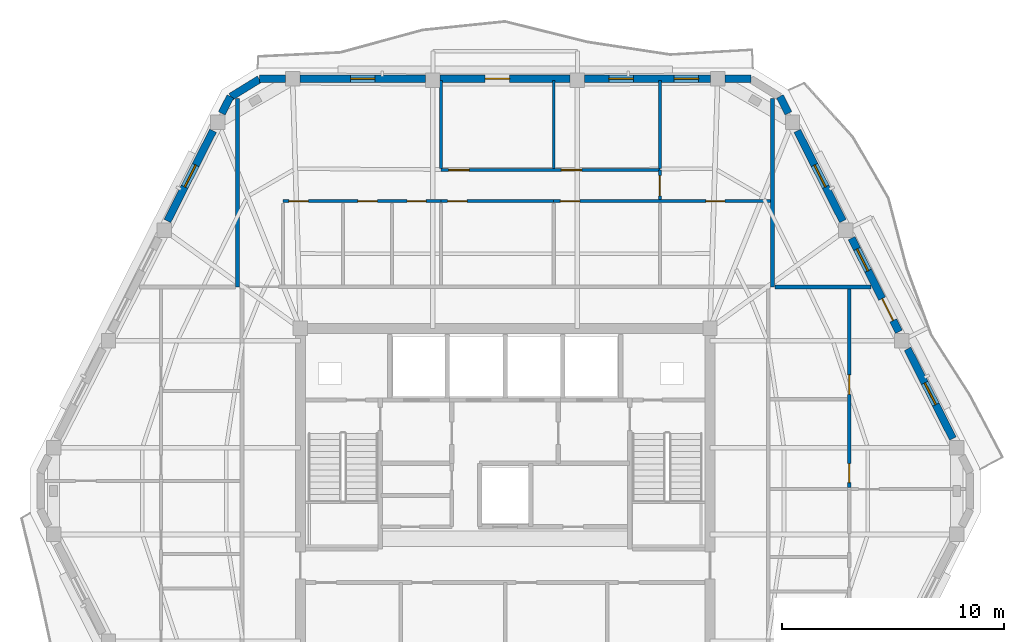
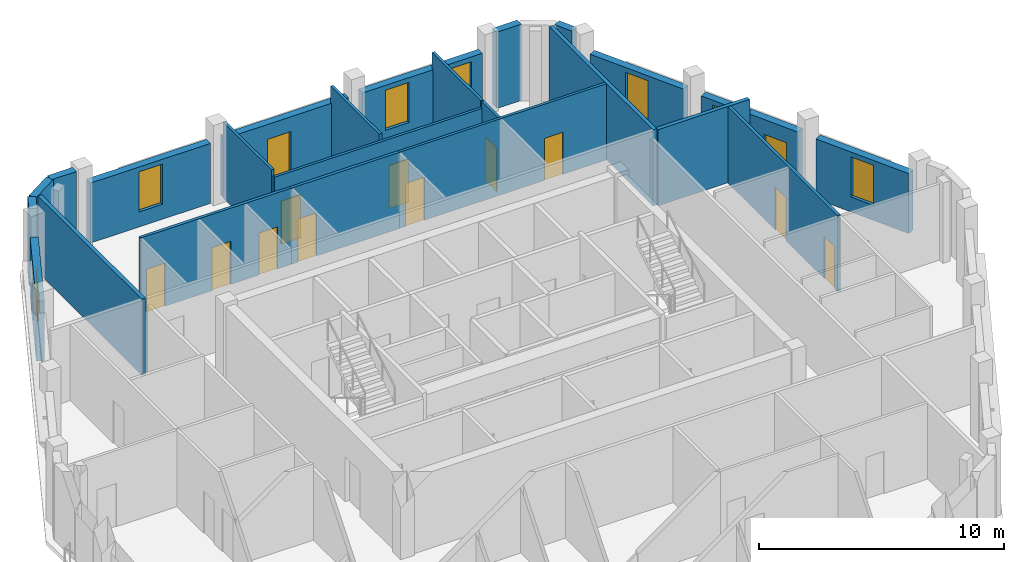
# One storey, part 7 of 11: 24 walls, 13 doors, 7 windows, 20 openings.
"""IFC4 building model written with IfcOpenShell, lengths in metres."""

from ifc_helpers import new_model, si_unit, direction, frame, frame_2d, origin, place, context, subcontext, project, spatial, rectangle, extrude, material, layer, layer_set, type_object, element, fill, save


model = new_model("IFC4")

# Units and contexts
model_context = context("Model", 3, precision=1e-05, world=origin(), true_north=direction((0.0, 1.0)))
body_context = subcontext(model_context, "Body", "Model", "MODEL_VIEW")
ifc_project = project(units=[si_unit("LENGTHUNIT", "METRE"), si_unit("AREAUNIT", "SQUARE_METRE"), si_unit("VOLUMEUNIT", "CUBIC_METRE"), si_unit("PLANEANGLEUNIT", "RADIAN"), si_unit("MASSUNIT", "GRAM", prefix="KILO")], contexts=[model_context])

# Site, building, storey
site_placement = place(None, origin())
site = spatial("IfcSite", under=ifc_project, at=site_placement, CompositionType="ELEMENT")
building_placement = place(site_placement, origin())
building = spatial("IfcBuilding", under=site, at=building_placement, Name="Cinnabar Lancet Tower", CompositionType="ELEMENT")
storey_placement = place(building_placement, frame((0.0, 0.0, 291.5)))
storey = spatial("IfcBuildingStorey", under=building, at=storey_placement, Name="L77", CompositionType="ELEMENT", Elevation=291.5)

# Walls
ifc_material_1 = material(Name="Fire-rated twin-frame acoustic drywall", Category="gypsum")
ifc_layer_1 = layer(ifc_material_1, 0.179931640625)
ifc_layer_set_1 = layer_set([ifc_layer_1], Name="Fire-rated twin-frame acoustic drywall")
wall_type_1 = type_object("IfcWallType", Name="ARC-WL-PARTY-180", PredefinedType="PARTITIONING", material=ifc_layer_set_1)
for number, where, z_axis, x_axis, name in (
    (1, (20.35009765625, 35.0, 0.0), (0.0, 0.0, 1.0), (0.0, 1.0, 0.0), "PW-L77-NPTY-204"),
    (2, (44.449951171875, 35.0, 0.0), (0.0, 0.0, 1.0), (0.0, 1.0, 0.0), "PW-L77-NPTY-444"),
):
    element("IfcWall", number, at=place(storey_placement, frame(where, z_axis=z_axis, x_axis=x_axis)), inside=storey, type_object=wall_type_1, Name=name, PredefinedType="PARTITIONING", context=body_context, shape_type="SweptSolid", body=[
        extrude(rectangle(XDim=8.48095703125, YDim=0.179931640625, at=frame_2d((4.240478515625, 0.0))), origin(), (0.0, 0.0, 1.0), 3.800048828125),
    ])
wall_1_placement = place(storey_placement, frame((44.544921875, 35.0, 0.0), z_axis=(0.0, 0.0, 1.0), x_axis=(1.0, 0.0, 0.0)))
element("IfcWall", 3, at=wall_1_placement, inside=storey, type_object=wall_type_1, Name="PW-L77-ENB", PredefinedType="PARTITIONING", context=body_context, shape_type="SweptSolid", body=[
    extrude(rectangle(XDim=4.322021484375, YDim=0.179931640625, at=frame_2d((2.1611328125, 0.0))), origin(), (0.0, 0.0, 1.0), 3.800048828125),
])

# Wall, openings, doors
ifc_material_2 = material(Name="Gypsum plasterboard stud partition", Category="gypsum")
ifc_layer_2 = layer(ifc_material_2, 0.125)
ifc_layer_set_2 = layer_set([ifc_layer_2], Name="Gypsum plasterboard stud partition")
wall_type_2 = type_object("IfcWallType", Name="ARC-WL-UNIT-125", PredefinedType="PARTITIONING", material=ifc_layer_set_2)
wall_2_placement = place(storey_placement, frame((34.587890625, 38.85791015625, 0.0), z_axis=(0.0, 0.0, 1.0), x_axis=(1.0, 0.0, 0.0)))
wall_2 = element("IfcWall", 4, at=wall_2_placement, inside=storey, type_object=wall_type_2, Name="UW-L77-N01-SP2", PredefinedType="PARTITIONING", context=body_context, shape_type="SweptSolid", body=[
    extrude(rectangle(XDim=9.76708984375, YDim=0.125, at=frame_2d((4.883544921875, 0.0))), origin(), (0.0, 0.0, 1.0), 3.800048828125),
])
opening_1_placement = place(wall_2_placement, frame((6.84912109375, 0.0, 0.0)))
opening_1 = element("IfcOpeningElement", 5, at=opening_1_placement, cuts=wall_2, Name="Opening BD-01", PredefinedType="OPENING", context=body_context, shape_type="SweptSolid", body=[
    extrude(rectangle(XDim=0.860107421875, YDim=2.10009765625, at=frame_2d((0.43017578125, 1.050048828125))), frame((0.0, 0.072509765625, 0.0), z_axis=(0.0, -1.0, 0.0), x_axis=(1.0, 0.0, 0.0)), (0.0, 0.0, 1.0), 0.14501953125),
])
opening_2_placement = place(wall_2_placement, frame((0.300048828125, 0.0, 0.0)))
opening_2 = element("IfcOpeningElement", 6, at=opening_2_placement, cuts=wall_2, Name="Opening RD-02", PredefinedType="OPENING", context=body_context, shape_type="SweptSolid", body=[
    extrude(rectangle(XDim=0.8798828125, YDim=2.14990234375, at=frame_2d((0.43994140625, 1.074951171875))), frame((0.0, 0.072509765625, 0.0), z_axis=(0.0, -1.0, 0.0), x_axis=(1.0, 0.0, 0.0)), (0.0, 0.0, 1.0), 0.14501953125),
])
ifc_material_3 = material(Name="Moisture-resistant timber bathroom door", Category="wood")
door_type_1 = type_object("IfcDoorType", Name="ARC-DR-BATH", OperationType="NOTDEFINED", PredefinedType="DOOR", material=ifc_material_3)
door_1_placement = place(opening_1_placement, origin())
door_1 = element("IfcDoor", 7, at=door_1_placement, inside=storey, type_object=door_type_1, Name="DR-L77-N01-ENS", OperationType="SINGLE_SWING_LEFT", OverallHeight=2.10009765625, OverallWidth=0.860107421875, PredefinedType="DOOR", context=body_context, shape_type="SweptSolid", body=[
    extrude(rectangle(XDim=0.860107421875, YDim=2.10009765625, at=frame_2d((0.43017578125, 1.050048828125))), frame((0.0, 0.02490234375, 0.0), z_axis=(0.0, -1.0, 0.0), x_axis=(1.0, 0.0, 0.0)), (0.0, 0.0, 1.0), 0.050048828125),
])
fill(opening_1, door_1)
ifc_material_4 = material(Name="Engineered timber study door", Category="wood")
door_type_2 = type_object("IfcDoorType", Name="ARC-DR-STUDY", OperationType="NOTDEFINED", PredefinedType="DOOR", material=ifc_material_4)
door_2_placement = place(opening_2_placement, origin())
door_2 = element("IfcDoor", 8, at=door_2_placement, inside=storey, type_object=door_type_2, Name="DR-L77-N01-DRS", OperationType="SINGLE_SWING_RIGHT", OverallHeight=2.14990234375, OverallWidth=0.8798828125, PredefinedType="DOOR", context=body_context, shape_type="SweptSolid", body=[
    extrude(rectangle(XDim=0.8798828125, YDim=2.14990234375, at=frame_2d((0.43994140625, 1.074951171875))), frame((0.0, 0.02490234375, 0.0), z_axis=(0.0, -1.0, 0.0), x_axis=(1.0, 0.0, 0.0)), (0.0, 0.0, 1.0), 0.050048828125),
])
fill(opening_2, door_2)

# Wall
wall_3_placement = place(storey_placement, frame((29.508056640625, 40.322998046875, 0.0), z_axis=(0.0, 0.0, 1.0), x_axis=(0.0, 1.0, 0.0)))
element("IfcWall", 9, at=wall_3_placement, inside=storey, type_object=wall_type_2, Name="UW-L77-N01-BD2W", PredefinedType="PARTITIONING", context=body_context, shape_type="SweptSolid", body=[
    extrude(rectangle(XDim=3.9619140625, YDim=0.125, at=frame_2d((1.98095703125, 0.0))), origin(), (0.0, 0.0, 1.0), 3.800048828125),
])

# Wall, openings, doors
wall_4_placement = place(storey_placement, frame((29.508056640625, 40.258056640625, 0.0), z_axis=(0.0, 0.0, 1.0), x_axis=(1.0, 0.0, 0.0)))
wall_4 = element("IfcWall", 10, at=wall_4_placement, inside=storey, type_object=wall_type_2, Name="UW-L77-N01-HLN", PredefinedType="PARTITIONING", context=body_context, shape_type="SweptSolid", body=[
    extrude(rectangle(XDim=9.862060546875, YDim=0.125, at=frame_2d((4.93115234375, 0.0))), origin(), (0.0, 0.0, 1.0), 3.487060546875),
])
opening_3_placement = place(wall_4_placement, frame((0.35009765625, 0.0, 0.0)))
opening_3 = element("IfcOpeningElement", 11, at=opening_3_placement, cuts=wall_4, Name="Opening RD-01", PredefinedType="OPENING", context=body_context, shape_type="SweptSolid", body=[
    extrude(rectangle(XDim=0.919921875, YDim=2.14990234375, at=frame_2d((0.4599609375, 1.074951171875))), frame((0.0, 0.072509765625, 0.0), z_axis=(0.0, -1.0, 0.0), x_axis=(1.0, 0.0, 0.0)), (0.0, 0.0, 1.0), 0.14501953125),
])
opening_4_placement = place(wall_4_placement, frame((5.429931640625, 0.0, 0.0)))
opening_4 = element("IfcOpeningElement", 12, at=opening_4_placement, cuts=wall_4, Name="Opening RD-01", PredefinedType="OPENING", context=body_context, shape_type="SweptSolid", body=[
    extrude(rectangle(XDim=0.919921875, YDim=2.14990234375, at=frame_2d((0.4599609375, 1.074951171875))), frame((0.0, 0.072509765625, 0.0), z_axis=(0.0, -1.0, 0.0), x_axis=(1.0, 0.0, 0.0)), (0.0, 0.0, 1.0), 0.14501953125),
])
ifc_material_5 = material(Name="Engineered timber bedroom door", Category="wood")
door_type_3 = type_object("IfcDoorType", Name="ARC-DR-ROOM", OperationType="NOTDEFINED", PredefinedType="DOOR", material=ifc_material_5)
door_3_placement = place(opening_3_placement, origin())
door_3 = element("IfcDoor", 13, at=door_3_placement, inside=storey, type_object=door_type_3, Name="DR-L77-N01-BD2", OperationType="SINGLE_SWING_LEFT", OverallHeight=2.14990234375, OverallWidth=0.919921875, PredefinedType="DOOR", context=body_context, shape_type="SweptSolid", body=[
    extrude(rectangle(XDim=0.919921875, YDim=2.14990234375, at=frame_2d((0.4599609375, 1.074951171875))), frame((0.0, 0.02490234375, 0.0), z_axis=(0.0, -1.0, 0.0), x_axis=(1.0, 0.0, 0.0)), (0.0, 0.0, 1.0), 0.050048828125),
])
fill(opening_3, door_3)
door_4_placement = place(opening_4_placement, origin())
door_4 = element("IfcDoor", 14, at=door_4_placement, inside=storey, type_object=door_type_3, Name="DR-L77-N01-BD3", OperationType="SINGLE_SWING_RIGHT", OverallHeight=2.14990234375, OverallWidth=0.919921875, PredefinedType="DOOR", context=body_context, shape_type="SweptSolid", body=[
    extrude(rectangle(XDim=0.919921875, YDim=2.14990234375, at=frame_2d((0.4599609375, 1.074951171875))), frame((0.0, 0.02490234375, 0.0), z_axis=(0.0, -1.0, 0.0), x_axis=(1.0, 0.0, 0.0)), (0.0, 0.0, 1.0), 0.050048828125),
])
fill(opening_4, door_4)

# Wall, opening, door
wall_5_placement = place(storey_placement, frame((39.3701171875, 38.927978515625, 0.0), z_axis=(0.0, 0.0, 1.0), x_axis=(0.0, 1.0, 0.0)))
wall_5 = element("IfcWall", 15, at=wall_5_placement, inside=storey, type_object=wall_type_2, Name="UW-L77-N01-MBE", PredefinedType="PARTITIONING", context=body_context, shape_type="SweptSolid", body=[
    extrude(rectangle(XDim=1.330078125, YDim=0.125, at=frame_2d((0.6650390625, 0.0))), origin(), (0.0, 0.0, 1.0), 3.800048828125),
])
opening_5_placement = place(wall_5_placement, frame((0.159912109375, 0.0, 0.0)))
opening_5 = element("IfcOpeningElement", 16, at=opening_5_placement, cuts=wall_5, Name="Opening RD-01", PredefinedType="OPENING", context=body_context, shape_type="SweptSolid", body=[
    extrude(rectangle(XDim=0.919921875, YDim=2.14990234375, at=frame_2d((0.4599609375, 1.074951171875))), frame((0.0, 0.072509765625, 0.0), z_axis=(0.0, -1.0, 0.0), x_axis=(1.0, 0.0, 0.0)), (0.0, 0.0, 1.0), 0.14501953125),
])
door_5_placement = place(opening_5_placement, origin())
door_5 = element("IfcDoor", 17, at=door_5_placement, inside=storey, type_object=door_type_3, Name="DR-L77-N01-MBD", OperationType="SINGLE_SWING_LEFT", OverallHeight=2.14990234375, OverallWidth=0.919921875, PredefinedType="DOOR", context=body_context, shape_type="SweptSolid", body=[
    extrude(rectangle(XDim=0.919921875, YDim=2.14990234375, at=frame_2d((0.4599609375, 1.074951171875))), frame((0.0, 0.02490234375, 0.0), z_axis=(0.0, -1.0, 0.0), x_axis=(1.0, 0.0, 0.0)), (0.0, 0.0, 1.0), 0.050048828125),
])
fill(opening_5, door_5)

# Walls
for number, where, z_axis, x_axis, name in (
    (18, (34.587890625, 40.322998046875, 0.0), (0.0, 0.0, 1.0), (0.0, 1.0, 0.0), "UW-L77-N01-MB2W"),
    (19, (39.3701171875, 40.322998046875, 0.0), (0.0, 0.0, 1.0), (0.0, 1.0, 0.0), "UW-L77-N01-B23W"),
):
    element("IfcWall", number, at=place(storey_placement, frame(where, z_axis=z_axis, x_axis=x_axis)), inside=storey, type_object=wall_type_2, Name=name, PredefinedType="PARTITIONING", context=body_context, shape_type="SweptSolid", body=[
        extrude(rectangle(XDim=3.9619140625, YDim=0.125, at=frame_2d((1.98095703125, 0.0))), origin(), (0.0, 0.0, 1.0), 3.800048828125),
    ])

# Wall, openings, doors
ifc_material_6 = material(Name="Moisture-resistant cement-board plumbing wall", Category="masonry")
ifc_layer_3 = layer(ifc_material_6, 0.139892578125)
ifc_layer_set_3 = layer_set([ifc_layer_3], Name="Moisture-resistant cement-board plumbing wall")
wall_type_3 = type_object("IfcWallType", Name="ARC-WL-WET-140", PredefinedType="PLUMBINGWALL", material=ifc_layer_set_3)
wall_6_placement = place(storey_placement, frame((22.39990234375, 38.85791015625, 0.0), z_axis=(0.0, 0.0, 1.0), x_axis=(1.0, 0.0, 0.0)))
wall_6 = element("IfcWall", 20, at=wall_6_placement, inside=storey, type_object=wall_type_3, Name="UW-L77-N01-SPL", PredefinedType="PLUMBINGWALL", context=body_context, shape_type="SweptSolid", body=[
    extrude(rectangle(XDim=7.108154296875, YDim=0.139892578125, at=frame_2d((3.55419921875, 0.0))), origin(), (0.0, 0.0, 1.0), 3.800048828125),
])
opening_6_placement = place(wall_6_placement, frame((5.58203125, 0.0, 0.0)))
opening_6 = element("IfcOpeningElement", 21, at=opening_6_placement, cuts=wall_6, Name="Opening BD-01", PredefinedType="OPENING", context=body_context, shape_type="SweptSolid", body=[
    extrude(rectangle(XDim=0.860107421875, YDim=2.10009765625, at=frame_2d((0.43017578125, 1.050048828125))), frame((0.0, 0.079833984375, 0.0), z_axis=(0.0, -1.0, 0.0), x_axis=(1.0, 0.0, 0.0)), (0.0, 0.0, 1.0), 0.159912109375),
])
opening_7_placement = place(wall_6_placement, frame((0.260009765625, 0.0, 0.0)))
opening_7 = element("IfcOpeningElement", 22, at=opening_7_placement, cuts=wall_6, Name="Opening RD-02", PredefinedType="OPENING", context=body_context, shape_type="SweptSolid", body=[
    extrude(rectangle(XDim=0.8798828125, YDim=2.14990234375, at=frame_2d((0.43994140625, 1.074951171875))), frame((0.0, 0.079833984375, 0.0), z_axis=(0.0, -1.0, 0.0), x_axis=(1.0, 0.0, 0.0)), (0.0, 0.0, 1.0), 0.159912109375),
])
opening_8_placement = place(wall_6_placement, frame((3.363037109375, 0.0, 0.0)))
opening_8 = element("IfcOpeningElement", 23, at=opening_8_placement, cuts=wall_6, Name="Opening RD-02", PredefinedType="OPENING", context=body_context, shape_type="SweptSolid", body=[
    extrude(rectangle(XDim=0.8798828125, YDim=2.14990234375, at=frame_2d((0.43994140625, 1.074951171875))), frame((0.0, 0.079833984375, 0.0), z_axis=(0.0, -1.0, 0.0), x_axis=(1.0, 0.0, 0.0)), (0.0, 0.0, 1.0), 0.159912109375),
])
door_6_placement = place(opening_6_placement, origin())
door_6 = element("IfcDoor", 24, at=door_6_placement, inside=storey, type_object=door_type_1, Name="DR-L77-N01-BTH", OperationType="SINGLE_SWING_LEFT", OverallHeight=2.10009765625, OverallWidth=0.860107421875, PredefinedType="DOOR", context=body_context, shape_type="SweptSolid", body=[
    extrude(rectangle(XDim=0.860107421875, YDim=2.10009765625, at=frame_2d((0.43017578125, 1.050048828125))), frame((0.0, 0.02490234375, 0.0), z_axis=(0.0, -1.0, 0.0), x_axis=(1.0, 0.0, 0.0)), (0.0, 0.0, 1.0), 0.050048828125),
])
fill(opening_6, door_6)
door_7_placement = place(opening_7_placement, origin())
door_7 = element("IfcDoor", 25, at=door_7_placement, inside=storey, type_object=door_type_2, Name="DR-L77-N01-KIT", OperationType="SINGLE_SWING_LEFT", OverallHeight=2.14990234375, OverallWidth=0.8798828125, PredefinedType="DOOR", context=body_context, shape_type="SweptSolid", body=[
    extrude(rectangle(XDim=0.8798828125, YDim=2.14990234375, at=frame_2d((0.43994140625, 1.074951171875))), frame((0.0, 0.02490234375, 0.0), z_axis=(0.0, -1.0, 0.0), x_axis=(1.0, 0.0, 0.0)), (0.0, 0.0, 1.0), 0.050048828125),
])
fill(opening_7, door_7)
door_8_placement = place(opening_8_placement, origin())
door_8 = element("IfcDoor", 26, at=door_8_placement, inside=storey, type_object=door_type_2, Name="DR-L77-N01-STD", OperationType="SINGLE_SWING_RIGHT", OverallHeight=2.14990234375, OverallWidth=0.8798828125, PredefinedType="DOOR", context=body_context, shape_type="SweptSolid", body=[
    extrude(rectangle(XDim=0.8798828125, YDim=2.14990234375, at=frame_2d((0.43994140625, 1.074951171875))), frame((0.0, 0.02490234375, 0.0), z_axis=(0.0, -1.0, 0.0), x_axis=(1.0, 0.0, 0.0)), (0.0, 0.0, 1.0), 0.050048828125),
])
fill(opening_8, door_8)

# Wall, opening, door
wall_7_placement = place(storey_placement, frame((29.508056640625, 38.85791015625, 0.0), z_axis=(0.0, 0.0, 1.0), x_axis=(1.0, 0.0, 0.0)))
wall_7 = element("IfcWall", 27, at=wall_7_placement, inside=storey, type_object=wall_type_3, Name="UW-L77-N01-SPM", PredefinedType="PLUMBINGWALL", context=body_context, shape_type="SweptSolid", body=[
    extrude(rectangle(XDim=5.079833984375, YDim=0.139892578125, at=frame_2d((2.5400390625, 0.0))), origin(), (0.0, 0.0, 1.0), 3.800048828125),
])
opening_9_placement = place(wall_7_placement, frame((0.300048828125, 0.0, 0.0)))
opening_9 = element("IfcOpeningElement", 28, at=opening_9_placement, cuts=wall_7, Name="Opening RD-02", PredefinedType="OPENING", context=body_context, shape_type="SweptSolid", body=[
    extrude(rectangle(XDim=0.8798828125, YDim=2.14990234375, at=frame_2d((0.43994140625, 1.074951171875))), frame((0.0, 0.079833984375, 0.0), z_axis=(0.0, -1.0, 0.0), x_axis=(1.0, 0.0, 0.0)), (0.0, 0.0, 1.0), 0.159912109375),
])
door_9_placement = place(opening_9_placement, origin())
door_9 = element("IfcDoor", 29, at=door_9_placement, inside=storey, type_object=door_type_2, Name="DR-L77-N01-UTL", OperationType="SINGLE_SWING_RIGHT", OverallHeight=2.14990234375, OverallWidth=0.8798828125, PredefinedType="DOOR", context=body_context, shape_type="SweptSolid", body=[
    extrude(rectangle(XDim=0.8798828125, YDim=2.14990234375, at=frame_2d((0.43994140625, 1.074951171875))), frame((0.0, 0.02490234375, 0.0), z_axis=(0.0, -1.0, 0.0), x_axis=(1.0, 0.0, 0.0)), (0.0, 0.0, 1.0), 0.050048828125),
])
fill(opening_9, door_9)

# Wall, openings, doors
wall_8_placement = place(storey_placement, frame((47.89990234375, 25.9560546875, 0.0), z_axis=(0.0, 0.0, 1.0), x_axis=(0.0, 1.0, 0.0)))
wall_8 = element("IfcWall", 30, at=wall_8_placement, inside=storey, type_object=wall_type_3, Name="UW-L77-E01-SPM", PredefinedType="PLUMBINGWALL", context=body_context, shape_type="SweptSolid", body=[
    extrude(rectangle(XDim=8.948974609375, YDim=0.139892578125, at=frame_2d((4.474609375, 0.0))), origin(), (0.0, 0.0, 1.0), 3.800048828125),
])
opening_10_placement = place(wall_8_placement, frame((0.219970703125, 0.0, 0.0)))
opening_10 = element("IfcOpeningElement", 31, at=opening_10_placement, cuts=wall_8, Name="Opening BD-01", PredefinedType="OPENING", context=body_context, shape_type="SweptSolid", body=[
    extrude(rectangle(XDim=0.860107421875, YDim=2.10009765625, at=frame_2d((0.43017578125, 1.050048828125))), frame((0.0, 0.079833984375, 0.0), z_axis=(0.0, -1.0, 0.0), x_axis=(1.0, 0.0, 0.0)), (0.0, 0.0, 1.0), 0.159912109375),
])
opening_11_placement = place(wall_8_placement, frame((4.197021484375, 0.0, 0.0)))
opening_11 = element("IfcOpeningElement", 32, at=opening_11_placement, cuts=wall_8, Name="Opening RD-02", PredefinedType="OPENING", context=body_context, shape_type="SweptSolid", body=[
    extrude(rectangle(XDim=0.8798828125, YDim=2.14990234375, at=frame_2d((0.43994140625, 1.074951171875))), frame((0.0, 0.079833984375, 0.0), z_axis=(0.0, -1.0, 0.0), x_axis=(1.0, 0.0, 0.0)), (0.0, 0.0, 1.0), 0.159912109375),
])
door_10_placement = place(opening_10_placement, origin())
door_10 = element("IfcDoor", 33, at=door_10_placement, inside=storey, type_object=door_type_1, Name="DR-L77-E01-ENS", OperationType="SINGLE_SWING_RIGHT", OverallHeight=2.10009765625, OverallWidth=0.860107421875, PredefinedType="DOOR", context=body_context, shape_type="SweptSolid", body=[
    extrude(rectangle(XDim=0.860107421875, YDim=2.10009765625, at=frame_2d((0.43017578125, 1.050048828125))), frame((0.0, 0.02490234375, 0.0), z_axis=(0.0, -1.0, 0.0), x_axis=(1.0, 0.0, 0.0)), (0.0, 0.0, 1.0), 0.050048828125),
])
fill(opening_10, door_10)
door_11_placement = place(opening_11_placement, origin())
door_11 = element("IfcDoor", 34, at=door_11_placement, inside=storey, type_object=door_type_2, Name="DR-L77-E01-EWDR", OperationType="SINGLE_SWING_LEFT", OverallHeight=2.14990234375, OverallWidth=0.8798828125, PredefinedType="DOOR", context=body_context, shape_type="SweptSolid", body=[
    extrude(rectangle(XDim=0.8798828125, YDim=2.14990234375, at=frame_2d((0.43994140625, 1.074951171875))), frame((0.0, 0.02490234375, 0.0), z_axis=(0.0, -1.0, 0.0), x_axis=(1.0, 0.0, 0.0)), (0.0, 0.0, 1.0), 0.050048828125),
])
fill(opening_11, door_11)

# Wall
ifc_material_7 = material(Name="Cinnabar red clay brick", Category="masonry")
ifc_layer_4 = layer(ifc_material_7, 0.340087890625)
ifc_layer_set_4 = layer_set([ifc_layer_4], Name="Cinnabar red clay brick")
wall_type_4 = type_object("IfcWallType", Name="ENV-WL-BRK-RED-340", PredefinedType="STANDARD", material=ifc_layer_set_4)
wall_9_placement = place(storey_placement, frame((21.3310546875, 44.344970703125, 0.0), z_axis=(0.0, 0.0, 1.0), x_axis=(-0.851680557619, -0.52406128246, 0.0)))
element("IfcWall", 35, at=wall_9_placement, inside=storey, type_object=wall_type_4, Name="L77 Chamfered Corner Brick Pier 5.1", PredefinedType="STANDARD", context=body_context, shape_type="SweptSolid", body=[
    extrude(rectangle(XDim=1.507568359375, YDim=0.340087890625, at=frame_2d((0.75390625, 0.0))), origin(), (0.0, 0.0, 1.0), 3.800048828125),
])

# Wall, opening, window
wall_10_placement = place(storey_placement, frame((52.568115234375, 28.160888671875, 0.0), z_axis=(0.0, 0.0, 1.0), x_axis=(-0.45147697324, 0.892282770558, 0.0)))
wall_10 = element("IfcWall", 36, at=wall_10_placement, inside=storey, type_object=wall_type_4, Name="L77 Face 3 Masonry Bay Wall 2", PredefinedType="STANDARD", context=body_context, shape_type="SweptSolid", body=[
    extrude(rectangle(XDim=4.530029296875, YDim=0.340087890625, at=frame_2d((2.26513671875, 0.0))), origin(), (0.0, 0.0, 1.0), 2.989990234375),
])
opening_12_placement = place(wall_10_placement, frame((1.715087890625, 0.0, 0.75)))
opening_12 = element("IfcOpeningElement", 37, at=opening_12_placement, cuts=wall_10, Name="Opening WN-04", PredefinedType="OPENING", context=body_context, shape_type="SweptSolid", body=[
    extrude(rectangle(XDim=1.10009765625, YDim=2.0, at=frame_2d((0.550048828125, 1.0))), frame((0.0, 0.179931640625, 0.0), z_axis=(0.0, -1.0, 0.0), x_axis=(1.0, 0.0, 0.0)), (0.0, 0.0, 1.0), 0.360107421875),
])
ifc_material_8 = material(Name="Thermally broken bronze-anodized aluminium tall lancet window", Category="aluminium")
window_type = type_object("IfcWindowType", Name="ENV-WN-LANCET-1100", PartitioningType="SINGLE_PANEL", PredefinedType="WINDOW", material=ifc_material_8)
window_1_placement = place(opening_12_placement, origin())
window_1 = element("IfcWindow", 38, at=window_1_placement, inside=storey, type_object=window_type, Name="L77 Face 3 Gothic Lancet Window 2", OverallHeight=2.0, OverallWidth=1.10009765625, PartitioningType="SINGLE_PANEL", PredefinedType="WINDOW", context=body_context, shape_type="SweptSolid", body=[
    extrude(rectangle(XDim=1.10009765625, YDim=2.0, at=frame_2d((0.550048828125, 1.0))), frame((0.0, 0.030029296875, 0.0), z_axis=(0.0, -1.0, 0.0), x_axis=(1.0, 0.0, 0.0)), (0.0, 0.0, 1.0), 0.06005859375),
])
fill(opening_12, window_1)

# Wall, openings, door, window
wall_11_placement = place(storey_placement, frame((50.134033203125, 32.972900390625, 0.0), z_axis=(0.0, 0.0, 1.0), x_axis=(-0.451447516904, 0.892297674255, 0.0)))
wall_11 = element("IfcWall", 39, at=wall_11_placement, inside=storey, type_object=wall_type_4, Name="L77 Face 3 Masonry Bay Wall 3", PredefinedType="STANDARD", context=body_context, shape_type="SweptSolid", body=[
    extrude(rectangle(XDim=4.72265625, YDim=0.340087890625, at=frame_2d((2.361328125, 0.0))), origin(), (0.0, 0.0, 1.0), 2.989990234375),
])
opening_13_placement = place(wall_11_placement, frame((0.570068359375, 0.0, 0.0)))
opening_13 = element("IfcOpeningElement", 40, at=opening_13_placement, cuts=wall_11, Name="Opening TD-01", PredefinedType="OPENING", context=body_context, shape_type="SweptSolid", body=[
    extrude(rectangle(XDim=1.10009765625, YDim=2.25, at=frame_2d((0.550048828125, 1.125))), frame((0.0, 0.179931640625, 0.0), z_axis=(0.0, -1.0, 0.0), x_axis=(1.0, 0.0, 0.0)), (0.0, 0.0, 1.0), 0.360107421875),
])
opening_14_placement = place(wall_11_placement, frame((3.076904296875, 0.0, 0.75)))
opening_14 = element("IfcOpeningElement", 41, at=opening_14_placement, cuts=wall_11, Name="Opening WN-04", PredefinedType="OPENING", context=body_context, shape_type="SweptSolid", body=[
    extrude(rectangle(XDim=1.10009765625, YDim=2.0, at=frame_2d((0.550048828125, 1.0))), frame((0.0, 0.179931640625, 0.0), z_axis=(0.0, -1.0, 0.0), x_axis=(1.0, 0.0, 0.0)), (0.0, 0.0, 1.0), 0.360107421875),
])
ifc_material_9 = material(Name="Thermally broken low-E glazed balcony terrace door", Category="wood")
door_type_4 = type_object("IfcDoorType", Name="ARC-DR-BALC", OperationType="NOTDEFINED", PredefinedType="DOOR", material=ifc_material_9)
door_12_placement = place(opening_13_placement, origin())
door_12 = element("IfcDoor", 42, at=door_12_placement, inside=storey, type_object=door_type_4, Name="L77 Face 3 Glazed Terrace Door", OperationType="SINGLE_SWING_LEFT", OverallHeight=2.25, OverallWidth=1.10009765625, PredefinedType="DOOR", context=body_context, shape_type="SweptSolid", body=[
    extrude(rectangle(XDim=1.10009765625, YDim=2.25, at=frame_2d((0.550048828125, 1.125))), frame((0.0, 0.02490234375, 0.0), z_axis=(0.0, -1.0, 0.0), x_axis=(1.0, 0.0, 0.0)), (0.0, 0.0, 1.0), 0.050048828125),
])
fill(opening_13, door_12)
window_2_placement = place(opening_14_placement, origin())
window_2 = element("IfcWindow", 43, at=window_2_placement, inside=storey, type_object=window_type, Name="L77 Split-Bay Gothic Lancet Window 290", OverallHeight=2.0, OverallWidth=1.10009765625, PartitioningType="SINGLE_PANEL", PredefinedType="WINDOW", context=body_context, shape_type="SweptSolid", body=[
    extrude(rectangle(XDim=1.10009765625, YDim=2.0, at=frame_2d((0.550048828125, 1.0))), frame((0.0, 0.030029296875, 0.0), z_axis=(0.0, -1.0, 0.0), x_axis=(1.0, 0.0, 0.0)), (0.0, 0.0, 1.0), 0.06005859375),
])
fill(opening_14, window_2)

# Wall, opening, window
wall_12_placement = place(storey_placement, frame((47.612060546875, 37.9599609375, 0.0), z_axis=(0.0, 0.0, 1.0), x_axis=(-0.45154039276, 0.892250678737, 0.0)))
wall_12 = element("IfcWall", 44, at=wall_12_placement, inside=storey, type_object=wall_type_4, Name="L77 Face 3 Masonry Bay Wall 4", PredefinedType="STANDARD", context=body_context, shape_type="SweptSolid", body=[
    extrude(rectangle(XDim=4.5537109375, YDim=0.340087890625, at=frame_2d((2.27685546875, 0.0))), origin(), (0.0, 0.0, 1.0), 2.989990234375),
])
opening_15_placement = place(wall_12_placement, frame((1.72705078125, 0.0, 0.75)))
opening_15 = element("IfcOpeningElement", 45, at=opening_15_placement, cuts=wall_12, Name="Opening WN-04", PredefinedType="OPENING", context=body_context, shape_type="SweptSolid", body=[
    extrude(rectangle(XDim=1.10009765625, YDim=2.0, at=frame_2d((0.550048828125, 1.0))), frame((0.0, 0.179931640625, 0.0), z_axis=(0.0, -1.0, 0.0), x_axis=(1.0, 0.0, 0.0)), (0.0, 0.0, 1.0), 0.360107421875),
])
window_3_placement = place(opening_15_placement, origin())
window_3 = element("IfcWindow", 46, at=window_3_placement, inside=storey, type_object=window_type, Name="L77 Face 3 Gothic Lancet Window 4", OverallHeight=2.0, OverallWidth=1.10009765625, PartitioningType="SINGLE_PANEL", PredefinedType="WINDOW", context=body_context, shape_type="SweptSolid", body=[
    extrude(rectangle(XDim=1.10009765625, YDim=2.0, at=frame_2d((0.550048828125, 1.0))), frame((0.0, 0.030029296875, 0.0), z_axis=(0.0, -1.0, 0.0), x_axis=(1.0, 0.0, 0.0)), (0.0, 0.0, 1.0), 0.06005859375),
])
fill(opening_15, window_3)

# Walls
wall_13_placement = place(storey_placement, frame((45.157958984375, 42.81103515625, 0.0), z_axis=(0.0, 0.0, 1.0), x_axis=(-0.451907025977, 0.8920650424, 0.0)))
element("IfcWall", 47, at=wall_13_placement, inside=storey, type_object=wall_type_4, Name="L77 Face 3 Masonry Bay Wall 5", PredefinedType="STANDARD", context=body_context, shape_type="SweptSolid", body=[
    extrude(rectangle(XDim=0.85205078125, YDim=0.340087890625, at=frame_2d((0.426025390625, 0.0))), origin(), (0.0, 0.0, 1.0), 3.800048828125),
])
wall_14_placement = place(storey_placement, frame((43.47412109375, 44.3701171875, 0.0), z_axis=(0.0, 0.0, 1.0), x_axis=(-1.0, 0.0, 0.0)))
element("IfcWall", 48, at=wall_14_placement, inside=storey, type_object=wall_type_4, Name="L77 Face 4 Masonry Bay Wall 1", PredefinedType="STANDARD", context=body_context, shape_type="SweptSolid", body=[
    extrude(rectangle(XDim=1.173095703125, YDim=0.340087890625, at=frame_2d((0.58642578125, 0.0))), origin(), (0.0, 0.0, 1.0), 3.800048828125),
])

# Wall, openings, windows
wall_15_placement = place(storey_placement, frame((41.64306640625, 44.3701171875, 0.0), z_axis=(0.0, 0.0, 1.0), x_axis=(-1.0, 0.0, 0.0)))
wall_15 = element("IfcWall", 49, at=wall_15_placement, inside=storey, type_object=wall_type_4, Name="L77 Face 4 Masonry Bay Wall 2", PredefinedType="STANDARD", context=body_context, shape_type="SweptSolid", body=[
    extrude(rectangle(XDim=5.66015625, YDim=0.340087890625, at=frame_2d((2.830078125, 0.0))), origin(), (0.0, 0.0, 1.0), 2.989990234375),
])
opening_16_placement = place(wall_15_placement, frame((0.530029296875, 0.0, 0.75)))
opening_16 = element("IfcOpeningElement", 50, at=opening_16_placement, cuts=wall_15, Name="Opening WN-04", PredefinedType="OPENING", context=body_context, shape_type="SweptSolid", body=[
    extrude(rectangle(XDim=1.10009765625, YDim=2.0, at=frame_2d((0.550048828125, 1.0))), frame((0.0, 0.179931640625, 0.0), z_axis=(0.0, -1.0, 0.0), x_axis=(1.0, 0.0, 0.0)), (0.0, 0.0, 1.0), 0.360107421875),
])
opening_17_placement = place(wall_15_placement, frame((3.472900390625, 0.0, 0.75)))
opening_17 = element("IfcOpeningElement", 51, at=opening_17_placement, cuts=wall_15, Name="Opening WN-04", PredefinedType="OPENING", context=body_context, shape_type="SweptSolid", body=[
    extrude(rectangle(XDim=1.10009765625, YDim=2.0, at=frame_2d((0.550048828125, 1.0))), frame((0.0, 0.179931640625, 0.0), z_axis=(0.0, -1.0, 0.0), x_axis=(1.0, 0.0, 0.0)), (0.0, 0.0, 1.0), 0.360107421875),
])
window_4_placement = place(opening_16_placement, origin())
window_4 = element("IfcWindow", 52, at=window_4_placement, inside=storey, type_object=window_type, Name="L77 Face 4 Gothic Lancet Window 2", OverallHeight=2.0, OverallWidth=1.10009765625, PartitioningType="SINGLE_PANEL", PredefinedType="WINDOW", context=body_context, shape_type="SweptSolid", body=[
    extrude(rectangle(XDim=1.10009765625, YDim=2.0, at=frame_2d((0.550048828125, 1.0))), frame((0.0, 0.030029296875, 0.0), z_axis=(0.0, -1.0, 0.0), x_axis=(1.0, 0.0, 0.0)), (0.0, 0.0, 1.0), 0.06005859375),
])
fill(opening_16, window_4)
window_5_placement = place(opening_17_placement, origin())
window_5 = element("IfcWindow", 53, at=window_5_placement, inside=storey, type_object=window_type, Name="L77 Split-Bay Gothic Lancet Window 291", OverallHeight=2.0, OverallWidth=1.10009765625, PartitioningType="SINGLE_PANEL", PredefinedType="WINDOW", context=body_context, shape_type="SweptSolid", body=[
    extrude(rectangle(XDim=1.10009765625, YDim=2.0, at=frame_2d((0.550048828125, 1.0))), frame((0.0, 0.030029296875, 0.0), z_axis=(0.0, -1.0, 0.0), x_axis=(1.0, 0.0, 0.0)), (0.0, 0.0, 1.0), 0.06005859375),
])
fill(opening_17, window_5)

# Wall, opening, door
wall_16_placement = place(storey_placement, frame((35.324951171875, 44.3701171875, 0.0), z_axis=(0.0, 0.0, 1.0), x_axis=(-1.0, 0.0, 0.0)))
wall_16 = element("IfcWall", 54, at=wall_16_placement, inside=storey, type_object=wall_type_4, Name="L77 Face 4 Masonry Bay Wall 3", PredefinedType="STANDARD", context=body_context, shape_type="SweptSolid", body=[
    extrude(rectangle(XDim=5.849853515625, YDim=0.340087890625, at=frame_2d((2.9248046875, 0.0))), origin(), (0.0, 0.0, 1.0), 2.989990234375),
])
opening_18_placement = place(wall_16_placement, frame((2.72705078125, 0.0, 0.0)))
opening_18 = element("IfcOpeningElement", 55, at=opening_18_placement, cuts=wall_16, Name="Opening TD-01", PredefinedType="OPENING", context=body_context, shape_type="SweptSolid", body=[
    extrude(rectangle(XDim=1.10009765625, YDim=2.25, at=frame_2d((0.550048828125, 1.125))), frame((0.0, 0.179931640625, 0.0), z_axis=(0.0, -1.0, 0.0), x_axis=(1.0, 0.0, 0.0)), (0.0, 0.0, 1.0), 0.360107421875),
])
door_13_placement = place(opening_18_placement, origin())
door_13 = element("IfcDoor", 56, at=door_13_placement, inside=storey, type_object=door_type_4, Name="L77 Face 4 Glazed Terrace Door", OperationType="SINGLE_SWING_RIGHT", OverallHeight=2.25, OverallWidth=1.10009765625, PredefinedType="DOOR", context=body_context, shape_type="SweptSolid", body=[
    extrude(rectangle(XDim=1.10009765625, YDim=2.25, at=frame_2d((0.550048828125, 1.125))), frame((0.0, 0.02490234375, 0.0), z_axis=(0.0, -1.0, 0.0), x_axis=(1.0, 0.0, 0.0)), (0.0, 0.0, 1.0), 0.050048828125),
])
fill(opening_18, door_13)

# Wall, opening, window
wall_17_placement = place(storey_placement, frame((28.81689453125, 44.3701171875, 0.0), z_axis=(0.0, 0.0, 1.0), x_axis=(-1.0, 0.0, 0.0)))
wall_17 = element("IfcWall", 57, at=wall_17_placement, inside=storey, type_object=wall_type_4, Name="L77 Face 4 Masonry Bay Wall 4", PredefinedType="STANDARD", context=body_context, shape_type="SweptSolid", body=[
    extrude(rectangle(XDim=5.659912109375, YDim=0.340087890625, at=frame_2d((2.830078125, 0.0))), origin(), (0.0, 0.0, 1.0), 2.989990234375),
])
opening_19_placement = place(wall_17_placement, frame((2.280029296875, 0.0, 0.75)))
opening_19 = element("IfcOpeningElement", 58, at=opening_19_placement, cuts=wall_17, Name="Opening WN-04", PredefinedType="OPENING", context=body_context, shape_type="SweptSolid", body=[
    extrude(rectangle(XDim=1.10009765625, YDim=2.0, at=frame_2d((0.550048828125, 1.0))), frame((0.0, 0.179931640625, 0.0), z_axis=(0.0, -1.0, 0.0), x_axis=(1.0, 0.0, 0.0)), (0.0, 0.0, 1.0), 0.360107421875),
])
window_6_placement = place(opening_19_placement, origin())
window_6 = element("IfcWindow", 59, at=window_6_placement, inside=storey, type_object=window_type, Name="L77 Face 4 Gothic Lancet Window 4", OverallHeight=2.0, OverallWidth=1.10009765625, PartitioningType="SINGLE_PANEL", PredefinedType="WINDOW", context=body_context, shape_type="SweptSolid", body=[
    extrude(rectangle(XDim=1.10009765625, YDim=2.0, at=frame_2d((0.550048828125, 1.0))), frame((0.0, 0.030029296875, 0.0), z_axis=(0.0, -1.0, 0.0), x_axis=(1.0, 0.0, 0.0)), (0.0, 0.0, 1.0), 0.06005859375),
])
fill(opening_19, window_6)

# Walls
wall_18_placement = place(storey_placement, frame((22.4990234375, 44.3701171875, 0.0), z_axis=(0.0, 0.0, 1.0), x_axis=(-1.0, 0.0, 0.0)))
element("IfcWall", 60, at=wall_18_placement, inside=storey, type_object=wall_type_4, Name="L77 Face 4 Masonry Bay Wall 5", PredefinedType="STANDARD", context=body_context, shape_type="SweptSolid", body=[
    extrude(rectangle(XDim=1.173095703125, YDim=0.340087890625, at=frame_2d((0.58642578125, 0.0))), origin(), (0.0, 0.0, 1.0), 3.800048828125),
])
wall_19_placement = place(storey_placement, frame((20.027099609375, 43.571044921875, 0.0), z_axis=(0.0, 0.0, 1.0), x_axis=(-0.451907025977, -0.8920650424, 0.0)))
element("IfcWall", 61, at=wall_19_placement, inside=storey, type_object=wall_type_4, Name="L77 Face 5 Masonry Bay Wall 1", PredefinedType="STANDARD", context=body_context, shape_type="SweptSolid", body=[
    extrude(rectangle(XDim=0.85205078125, YDim=0.340087890625, at=frame_2d((0.426025390625, 0.0))), origin(), (0.0, 0.0, 1.0), 3.800048828125),
])

# Wall, opening, window
wall_20_placement = place(storey_placement, frame((19.243896484375, 42.02294921875, 0.0), z_axis=(0.0, 0.0, 1.0), x_axis=(-0.45149770819, -0.892272278791, 0.0)))
wall_20 = element("IfcWall", 62, at=wall_20_placement, inside=storey, type_object=wall_type_4, Name="L77 Face 5 Masonry Bay Wall 2", PredefinedType="STANDARD", context=body_context, shape_type="SweptSolid", body=[
    extrude(rectangle(XDim=4.553466796875, YDim=0.340087890625, at=frame_2d((2.27685546875, 0.0))), origin(), (0.0, 0.0, 1.0), 2.989990234375),
])
opening_20_placement = place(wall_20_placement, frame((1.72705078125, 0.0, 0.75)))
opening_20 = element("IfcOpeningElement", 63, at=opening_20_placement, cuts=wall_20, Name="Opening WN-04", PredefinedType="OPENING", context=body_context, shape_type="SweptSolid", body=[
    extrude(rectangle(XDim=1.10009765625, YDim=2.0, at=frame_2d((0.550048828125, 1.0))), frame((0.0, 0.179931640625, 0.0), z_axis=(0.0, -1.0, 0.0), x_axis=(1.0, 0.0, 0.0)), (0.0, 0.0, 1.0), 0.360107421875),
])
window_7_placement = place(opening_20_placement, origin())
window_7 = element("IfcWindow", 64, at=window_7_placement, inside=storey, type_object=window_type, Name="L77 Face 5 Gothic Lancet Window 2", OverallHeight=2.0, OverallWidth=1.10009765625, PartitioningType="SINGLE_PANEL", PredefinedType="WINDOW", context=body_context, shape_type="SweptSolid", body=[
    extrude(rectangle(XDim=1.10009765625, YDim=2.0, at=frame_2d((0.550048828125, 1.0))), frame((0.0, 0.030029296875, 0.0), z_axis=(0.0, -1.0, 0.0), x_axis=(1.0, 0.0, 0.0)), (0.0, 0.0, 1.0), 0.06005859375),
])
fill(opening_20, window_7)

save(model, "model.ifc")
